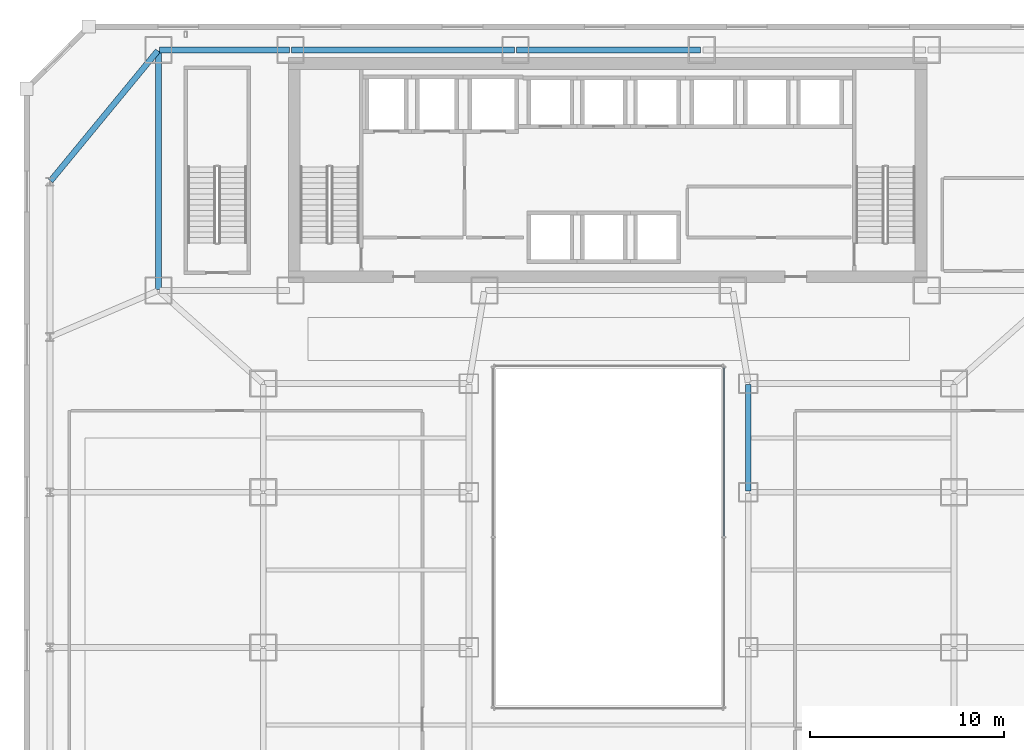
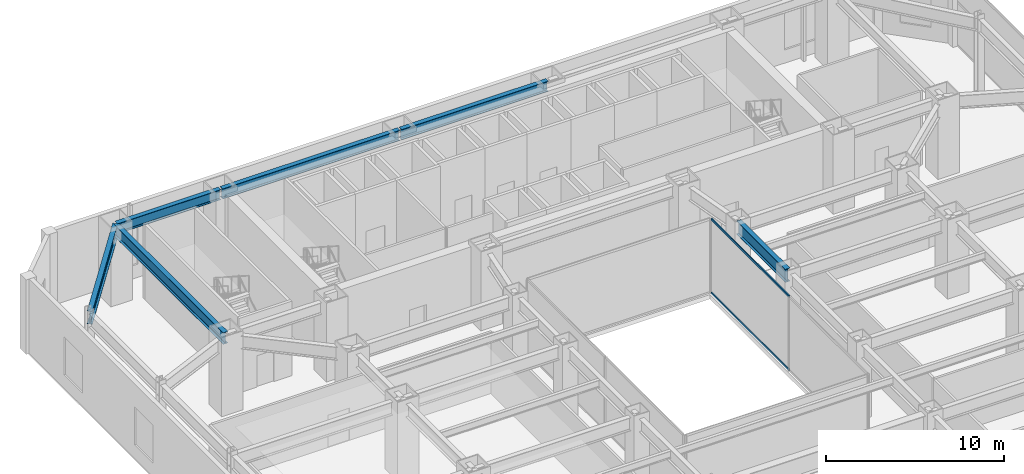
# One storey, part 25 of 51: 6 beams, 2 members, 1 element without a shape of its own.
"""IFC4 building model written with IfcOpenShell, lengths in metres."""

from ifc_helpers import new_model, si_unit, direction, frame, origin, origin_2d, place, context, subcontext, project, spatial, hollow_rectangle, i_section, extrude, material, material_profile, profile_set, type_object, element, aggregate, save


model = new_model("IFC4")

# Units and contexts
model_context = context("Model", 3, precision=1e-05, world=origin(), true_north=direction((0.0, 1.0)))
body_context = subcontext(model_context, "Body", "Model", "MODEL_VIEW")
ifc_project = project(units=[si_unit("LENGTHUNIT", "METRE"), si_unit("AREAUNIT", "SQUARE_METRE"), si_unit("VOLUMEUNIT", "CUBIC_METRE"), si_unit("PLANEANGLEUNIT", "RADIAN"), si_unit("MASSUNIT", "GRAM", prefix="KILO")], contexts=[model_context])

# Site, building, storey
site_placement = place(None, origin())
site = spatial("IfcSite", under=ifc_project, at=site_placement, CompositionType="ELEMENT")
building_placement = place(site_placement, origin())
building = spatial("IfcBuilding", under=site, at=building_placement, Name="Saevonmaru Cultural Tower", CompositionType="ELEMENT")
storey_placement = place(building_placement, frame((0.0, 0.0, 6.0)))
storey = spatial("IfcBuildingStorey", under=building, at=storey_placement, Name="L01", CompositionType="ELEMENT", Elevation=6.0)

# Beams
ifc_material_1 = material(Name="Steel SM420", Category="steel")
ifc_material_profile_1 = material_profile(ifc_material_1, i_section(OverallWidth=0.300048828125, OverallDepth=0.800048828125, WebThickness=0.013916015625, FlangeThickness=0.02587890625, FilletRadius=0.028076171875, at=origin_2d()), Name="H-800x300x14x26")
ifc_profile_set_1 = profile_set([ifc_material_profile_1], Name="Steel SM420")
beam_type_1 = type_object("IfcBeamType", Name="BM-G-H800", PredefinedType="BEAM", material=ifc_profile_set_1)
beam_1_placement = place(storey_placement, frame((6.800048828125, 54.739990234375, 4.699951171875), z_axis=(0.0, -1.0, 0.0), x_axis=(1.0, 0.0, 0.0)))
element("IfcBeam", 1, at=beam_1_placement, inside=storey, type_object=beam_type_1, Name="L01 Spine Transverse Girder W", PredefinedType="BEAM", context=body_context, shape_type="SweptSolid", body=[
    extrude(i_section(OverallWidth=0.300048828125, OverallDepth=0.800048828125, WebThickness=0.013916015625, FlangeThickness=0.02587890625, FilletRadius=0.028076171875, at=origin_2d()), origin(), (0.0, 0.0, 1.0), 12.280029296875),
])
ifc_material_profile_2 = material_profile(ifc_material_1, i_section(OverallWidth=0.300048828125, OverallDepth=0.89990234375, WebThickness=0.01611328125, FlangeThickness=0.028076171875, FilletRadius=0.028076171875, at=origin_2d()), Name="H-900x300x16x28")
ifc_profile_set_2 = profile_set([ifc_material_profile_2], Name="Steel SM420")
beam_type_2 = type_object("IfcBeamType", Name="BM-G-H900", PredefinedType="BEAM", material=ifc_profile_set_2)
beam_2_placement = place(storey_placement, frame((37.199951171875, 32.06005859375, 4.64990234375), z_axis=(0.0, 1.0, 0.0), x_axis=(-1.0, 0.0, 0.0)))
element("IfcBeam", 2, at=beam_2_placement, inside=storey, type_object=beam_type_2, Name="L01 Podium Girder NS3-5", PredefinedType="BEAM", context=body_context, shape_type="SweptSolid", body=[
    extrude(i_section(OverallWidth=0.300048828125, OverallDepth=0.89990234375, WebThickness=0.01611328125, FlangeThickness=0.028076171875, FilletRadius=0.028076171875, at=origin_2d()), origin(), (0.0, 0.0, 1.0), 5.47998046875),
])
beam_3_placement = place(storey_placement, frame((1.238037109375, 48.04638671875, 4.64990234375), z_axis=(0.635726949651, 0.771914014309, 0.0), x_axis=(-0.771914014309, 0.635726949651, 0.0)))
element("IfcBeam", 3, at=beam_3_placement, inside=storey, type_object=beam_type_2, Name="BM-POD-TW2-L01", PredefinedType="BEAM", context=body_context, shape_type="SweptSolid", body=[
    extrude(i_section(OverallWidth=0.300048828125, OverallDepth=0.89990234375, WebThickness=0.01611328125, FlangeThickness=0.028076171875, FilletRadius=0.028076171875, at=origin_2d()), origin(), (0.0, 0.0, 1.0), 8.689208984375),
])
ifc_material_2 = material(Name="Steel SM355", Category="steel")
ifc_material_profile_3 = material_profile(ifc_material_2, i_section(OverallWidth=0.300048828125, OverallDepth=0.699951171875, WebThickness=0.012939453125, FlangeThickness=0.02392578125, FilletRadius=0.02587890625, at=origin_2d()), Name="H-700x300x13x24")
ifc_profile_set_3 = profile_set([ifc_material_profile_3], Name="Steel SM355")
beam_type_3 = type_object("IfcBeamType", Name="BM-SP-H700", PredefinedType="SPANDREL", material=ifc_profile_set_3)
beam_4_placement = place(storey_placement, frame((6.860107421875, 54.800048828125, 4.75), z_axis=(1.0, 0.0, 0.0), x_axis=(0.0, 1.0, 0.0)))
element("IfcBeam", 4, at=beam_4_placement, inside=storey, type_object=beam_type_3, Name="L01 North Spine Girder 1", PredefinedType="SPANDREL", context=body_context, shape_type="SweptSolid", body=[
    extrude(i_section(OverallWidth=0.300048828125, OverallDepth=0.699951171875, WebThickness=0.012939453125, FlangeThickness=0.02392578125, FilletRadius=0.02587890625, at=origin_2d()), origin(), (0.0, 0.0, 1.0), 6.679931640625),
])
beam_5_placement = place(storey_placement, frame((13.659912109375, 54.800048828125, 4.75), z_axis=(1.0, 0.0, 0.0), x_axis=(0.0, 1.0, 0.0)))
element("IfcBeam", 5, at=beam_5_placement, inside=storey, type_object=beam_type_3, Name="L01 North Spine Girder 2", PredefinedType="SPANDREL", context=body_context, shape_type="SweptSolid", body=[
    extrude(i_section(OverallWidth=0.300048828125, OverallDepth=0.699951171875, WebThickness=0.012939453125, FlangeThickness=0.02392578125, FilletRadius=0.02587890625, at=origin_2d()), origin(), (0.0, 0.0, 1.0), 11.47998046875),
])
beam_6_placement = place(storey_placement, frame((25.260009765625, 54.800048828125, 4.75), z_axis=(1.0, 0.0, 0.0), x_axis=(0.0, 1.0, 0.0)))
element("IfcBeam", 6, at=beam_6_placement, inside=storey, type_object=beam_type_3, Name="L01 North Spine Girder 3", PredefinedType="SPANDREL", context=body_context, shape_type="SweptSolid", body=[
    extrude(i_section(OverallWidth=0.300048828125, OverallDepth=0.699951171875, WebThickness=0.012939453125, FlangeThickness=0.02392578125, FilletRadius=0.02587890625, at=origin_2d()), origin(), (0.0, 0.0, 1.0), 9.47998046875),
])

# Curtain wall, members
ifc_material_3 = material(Name="Satin Bronze Anodised Aluminium", Category="aluminium")
curtain_wall_type = type_object("IfcCurtainWallType", Name="CW-ATR-GLZ", PredefinedType="NOTDEFINED", material=ifc_material_3)
curtain_wall_placement = place(storey_placement, origin())
curtain_wall = element("IfcCurtainWall", 7, at=curtain_wall_placement, inside=storey, type_object=curtain_wall_type, Name="L01 Vertical Atrium Glazed Smoke Screen 2", PredefinedType="NOTDEFINED")
ifc_material_profile_4 = material_profile(ifc_material_3, hollow_rectangle(XDim=0.06494140625, YDim=0.14990234375, WallThickness=0.00390625, at=origin_2d()), Name="ALU-TRAN-150x65x4")
ifc_profile_set_4 = profile_set([ifc_material_profile_4], Name="Satin Bronze Anodised Aluminium")
member_type = type_object("IfcMemberType", Name="TR-CW-INT-150x65", PredefinedType="USERDEFINED", material=ifc_profile_set_4)
member_1_placement = place(storey_placement, frame((35.949951171875, 29.71240234375, 0.032470703125), z_axis=(0.0, 1.0, 0.0), x_axis=(-1.0, 0.0, 0.0)))
member_1 = element("IfcMember", 8, at=member_1_placement, type_object=member_type, Name="CW-ATR-L01-2 transom 2.1", ObjectType="TRANSOM", PredefinedType="USERDEFINED", context=body_context, shape_type="SweptSolid", body=[
    extrude(hollow_rectangle(XDim=0.06494140625, YDim=0.14990234375, WallThickness=0.00390625, at=origin_2d()), origin(), (0.0, 0.0, 1.0), 8.705078125),
])
member_2_placement = place(storey_placement, frame((35.949951171875, 29.71240234375, 5.0673828125), z_axis=(0.0, 1.0, 0.0), x_axis=(-1.0, 0.0, 0.0)))
member_2 = element("IfcMember", 9, at=member_2_placement, type_object=member_type, Name="CW-ATR-L01-2 transom 2.2", ObjectType="TRANSOM", PredefinedType="USERDEFINED", context=body_context, shape_type="SweptSolid", body=[
    extrude(hollow_rectangle(XDim=0.06494140625, YDim=0.14990234375, WallThickness=0.00390625, at=origin_2d()), origin(), (0.0, 0.0, 1.0), 8.705078125),
])
aggregate(curtain_wall, [member_1, member_2])

save(model, "model.ifc")
